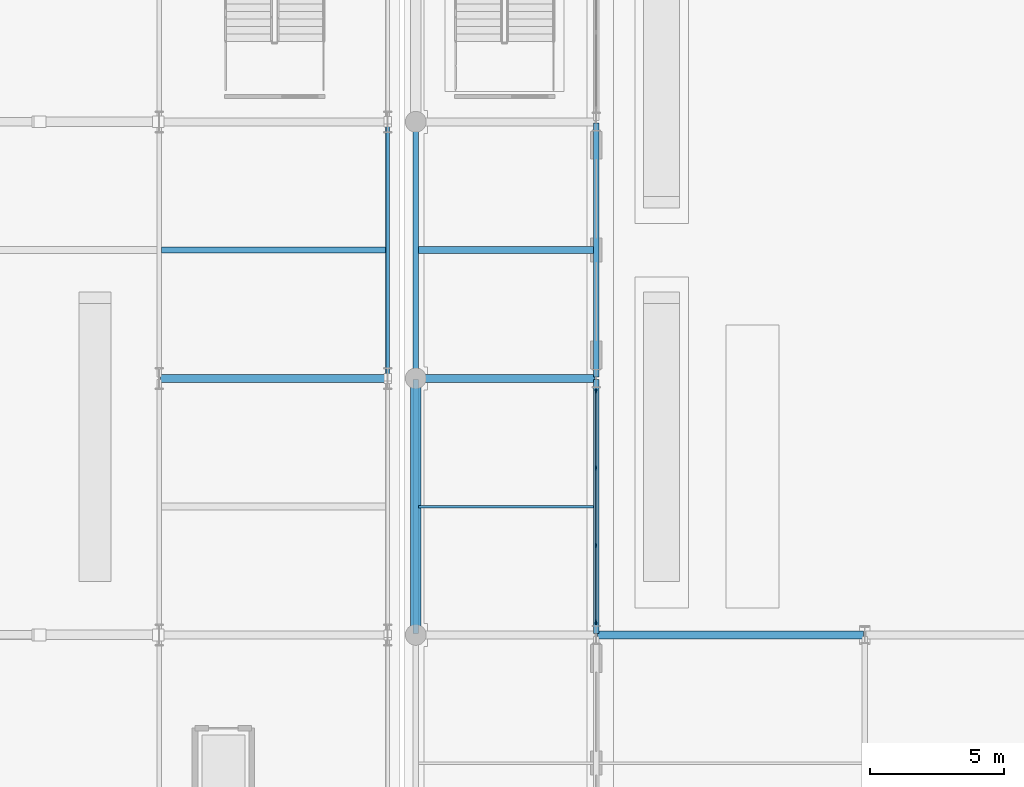
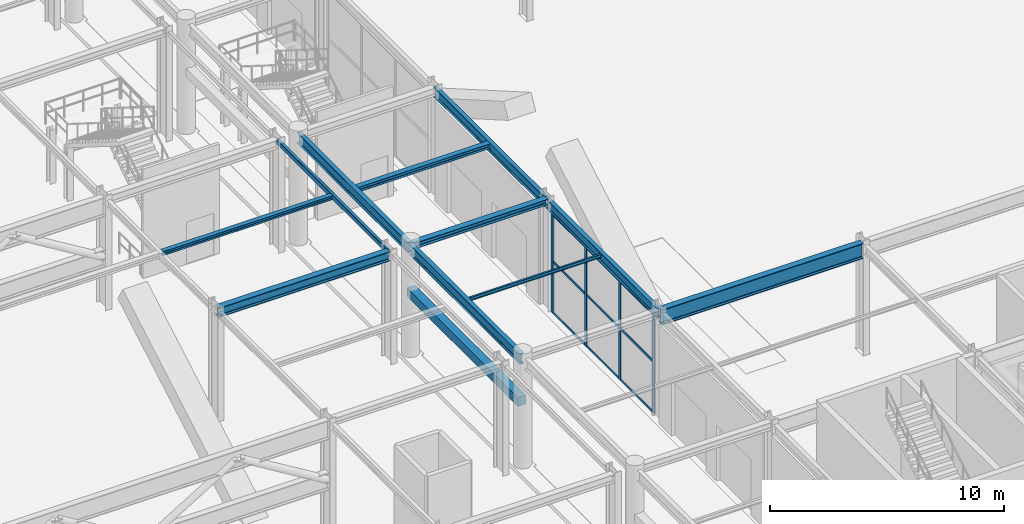
# One storey, part 33 of 113: 13 members, 12 beams, 1 element without a shape of its own.
"""IFC4 building model written with IfcOpenShell, lengths in metres."""

from ifc_helpers import new_model, si_unit, direction, frame, origin, origin_2d, place, context, subcontext, project, spatial, rectangle, hollow_rectangle, i_section, extrude, material, layer, layer_set, material_profile, profile_set, type_object, element, aggregate, save


model = new_model("IFC4")

# Units and contexts
model_context = context("Model", 3, precision=1e-05, world=origin(), true_north=direction((0.0, 1.0)))
body_context = subcontext(model_context, "Body", "Model", "MODEL_VIEW")
ifc_project = project(units=[si_unit("LENGTHUNIT", "METRE"), si_unit("AREAUNIT", "SQUARE_METRE"), si_unit("VOLUMEUNIT", "CUBIC_METRE"), si_unit("PLANEANGLEUNIT", "RADIAN"), si_unit("MASSUNIT", "GRAM", prefix="KILO")], contexts=[model_context])

# Site, building, storey
site_placement = place(None, origin())
site = spatial("IfcSite", under=ifc_project, at=site_placement, CompositionType="ELEMENT")
building_placement = place(site_placement, origin())
building = spatial("IfcBuilding", under=site, at=building_placement, Name="Myrtia Square Station", CompositionType="ELEMENT")
storey_placement = place(building_placement, origin())
storey = spatial("IfcBuildingStorey", under=building, at=storey_placement, Name="L00", CompositionType="ELEMENT", Elevation=0.0)

# Beams
ifc_material_1 = material(Name="Steel S355", Category="steel")
ifc_material_profile_1 = material_profile(ifc_material_1, i_section(OverallWidth=0.300048828125, OverallDepth=0.300048828125, WebThickness=0.010986328125, FlangeThickness=0.01904296875, FilletRadius=0.027099609375, at=origin_2d()), Name="HEB 300")
ifc_profile_set_1 = profile_set([ifc_material_profile_1], Name="Steel S355")
beam_type_1 = type_object("IfcBeamType", Name="BM-HEB300", PredefinedType="BEAM", material=ifc_profile_set_1)
beam_1_placement = place(storey_placement, frame((72.64990234375, 57.60009765625, 5.590087890625), z_axis=(1.0, 0.0, 0.0), x_axis=(0.0, 1.0, 0.0)))
element("IfcBeam", 1, at=beam_1_placement, inside=storey, type_object=beam_type_1, Name="Structural girder BMX-L00-0281", PredefinedType="BEAM", context=body_context, shape_type="SweptSolid", body=[
    extrude(i_section(OverallWidth=0.300048828125, OverallDepth=0.300048828125, WebThickness=0.010986328125, FlangeThickness=0.01904296875, FilletRadius=0.027099609375, at=origin_2d()), origin(), (0.0, 0.0, 1.0), 6.650146484375),
])
ifc_material_profile_2 = material_profile(ifc_material_1, i_section(OverallWidth=0.300048828125, OverallDepth=0.5, WebThickness=0.014404296875, FlangeThickness=0.028076171875, FilletRadius=0.027099609375, at=origin_2d()), Name="HEB 500")
ifc_profile_set_2 = profile_set([ifc_material_profile_2], Name="Steel S355")
beam_type_2 = type_object("IfcBeamType", Name="BM-HEB500", PredefinedType="BEAM", material=ifc_profile_set_2)
beam_2_placement = place(storey_placement, frame((63.050048828125, 57.60009765625, 5.489990234375), z_axis=(1.0, 0.0, 0.0), x_axis=(0.0, 1.0, 0.0)))
element("IfcBeam", 2, at=beam_2_placement, inside=storey, type_object=beam_type_2, Name="Structural girder BMX-L00-0253", PredefinedType="BEAM", context=body_context, shape_type="SweptSolid", body=[
    extrude(i_section(OverallWidth=0.300048828125, OverallDepth=0.5, WebThickness=0.014404296875, FlangeThickness=0.028076171875, FilletRadius=0.027099609375, at=origin_2d()), origin(), (0.0, 0.0, 1.0), 8.449951171875),
])
ifc_material_profile_3 = material_profile(ifc_material_1, i_section(OverallWidth=0.199951171875, OverallDepth=0.5, WebThickness=0.01025390625, FlangeThickness=0.01611328125, FilletRadius=0.02099609375, at=origin_2d()), Name="IPE 500")
ifc_profile_set_3 = profile_set([ifc_material_profile_3], Name="Steel S355")
beam_type_3 = type_object("IfcBeamType", Name="BM-IPE500", PredefinedType="BEAM", material=ifc_profile_set_3)
for number, where, z_axis, x_axis, name in (
    (3, (79.35009765625, 48.050048828125, 5.489990234375), (0.0, 1.0, 0.0), (-1.0, 0.0, 0.0), "Structural girder BMY-L00-0298"),
    (4, (79.35009765625, 57.64990234375, 5.489990234375), (0.0, 1.0, 0.0), (-1.0, 0.0, 0.0), "Structural girder BMY-L00-0299"),
):
    element("IfcBeam", number, at=place(storey_placement, frame(where, z_axis=z_axis, x_axis=x_axis)), inside=storey, type_object=beam_type_3, Name=name, PredefinedType="BEAM", context=body_context, shape_type="SweptSolid", body=[
        extrude(i_section(OverallWidth=0.199951171875, OverallDepth=0.5, WebThickness=0.01025390625, FlangeThickness=0.01611328125, FilletRadius=0.02099609375, at=origin_2d()), origin(), (0.0, 0.0, 1.0), 9.5),
    ])
ifc_material_profile_4 = material_profile(ifc_material_1, i_section(OverallWidth=0.2099609375, OverallDepth=0.550048828125, WebThickness=0.010986328125, FlangeThickness=0.01708984375, FilletRadius=0.02392578125, at=origin_2d()), Name="IPE 550")
ifc_profile_set_4 = profile_set([ifc_material_profile_4], Name="Steel S355")
beam_type_4 = type_object("IfcBeamType", Name="BM-IPE550", PredefinedType="BEAM", material=ifc_profile_set_4)
for number, where, z_axis, x_axis, name in (
    (5, (72.60009765625, 48.050048828125, 5.465087890625), (0.0, 1.0, 0.0), (-1.0, 0.0, 0.0), "Structural girder BMY-L00-0291"),
    (6, (72.60009765625, 57.64990234375, 5.465087890625), (0.0, 1.0, 0.0), (-1.0, 0.0, 0.0), "Structural girder BMY-L00-0292"),
):
    element("IfcBeam", number, at=place(storey_placement, frame(where, z_axis=z_axis, x_axis=x_axis)), inside=storey, type_object=beam_type_4, Name=name, PredefinedType="BEAM", context=body_context, shape_type="SweptSolid", body=[
        extrude(i_section(OverallWidth=0.2099609375, OverallDepth=0.550048828125, WebThickness=0.010986328125, FlangeThickness=0.01708984375, FilletRadius=0.02392578125, at=origin_2d()), origin(), (0.0, 0.0, 1.0), 9.5),
    ])

# Curtain wall, members
ifc_material_2 = material(Name="Dark bronze anodised aluminium", Category="aluminium")
ifc_layer = layer(ifc_material_2, 0.159912109375, Name="Dark bronze anodised aluminium")
ifc_layer_set = layer_set([ifc_layer], Name="Dark bronze anodised aluminium")
curtain_wall_type = type_object("IfcCurtainWallType", Name="CW-TYPE-01-870x519", PredefinedType="USERDEFINED", material=ifc_layer_set)
curtain_wall_placement = place(storey_placement, origin())
curtain_wall = element("IfcCurtainWall", 7, at=curtain_wall_placement, inside=storey, type_object=curtain_wall_type, Name="Concourse curtain wall CW-L00-001", ObjectType="CONCOURSE CURTAIN WALL", PredefinedType="USERDEFINED")
ifc_material_profile_5 = material_profile(ifc_material_2, rectangle(XDim=0.06005859375, YDim=0.159912109375, at=origin_2d()), Name="ALU-M 60x160")
ifc_profile_set_5 = profile_set([ifc_material_profile_5], Name="Dark bronze anodised aluminium")
member_type_1 = type_object("IfcMemberType", Name="CWM-60x160", PredefinedType="MULLION", material=ifc_profile_set_5)
member_1_placement = place(storey_placement, frame((79.35009765625, 48.47998046875, 0.0), z_axis=(0.0, 0.0, 1.0), x_axis=(-1.0, 0.0, 0.0)))
member_1 = element("IfcMember", 8, at=member_1_placement, type_object=member_type_1, Name="CW-001 mullion 1", PredefinedType="MULLION", context=body_context, shape_type="SweptSolid", body=[
    extrude(rectangle(XDim=0.06005859375, YDim=0.159912109375, at=origin_2d()), origin(), (0.0, 0.0, 1.0), 5.18994140625),
])
member_2_placement = place(storey_placement, frame((79.35009765625, 51.35009765625, 0.0), z_axis=(0.0, 0.0, 1.0), x_axis=(-1.0, 0.0, 0.0)))
member_2 = element("IfcMember", 9, at=member_2_placement, type_object=member_type_1, Name="CW-001 mullion 2", PredefinedType="MULLION", context=body_context, shape_type="SweptSolid", body=[
    extrude(rectangle(XDim=0.06005859375, YDim=0.159912109375, at=origin_2d()), origin(), (0.0, 0.0, 1.0), 5.18994140625),
])
member_3_placement = place(storey_placement, frame((79.35009765625, 54.25, 0.0), z_axis=(0.0, 0.0, 1.0), x_axis=(-1.0, 0.0, 0.0)))
member_3 = element("IfcMember", 10, at=member_3_placement, type_object=member_type_1, Name="CW-001 mullion 3", PredefinedType="MULLION", context=body_context, shape_type="SweptSolid", body=[
    extrude(rectangle(XDim=0.06005859375, YDim=0.159912109375, at=origin_2d()), origin(), (0.0, 0.0, 1.0), 5.18994140625),
])
member_4_placement = place(storey_placement, frame((79.35009765625, 57.1201171875, 0.0), z_axis=(0.0, 0.0, 1.0), x_axis=(-1.0, 0.0, 0.0)))
member_4 = element("IfcMember", 11, at=member_4_placement, type_object=member_type_1, Name="CW-001 mullion 4", PredefinedType="MULLION", context=body_context, shape_type="SweptSolid", body=[
    extrude(rectangle(XDim=0.06005859375, YDim=0.159912109375, at=origin_2d()), origin(), (0.0, 0.0, 1.0), 5.18994140625),
])
ifc_material_profile_6 = material_profile(ifc_material_2, rectangle(XDim=0.06005859375, YDim=0.1201171875, at=origin_2d()), Name="ALU-T 60x120")
ifc_profile_set_6 = profile_set([ifc_material_profile_6], Name="Dark bronze anodised aluminium")
member_type_2 = type_object("IfcMemberType", Name="CWT-60x120", PredefinedType="USERDEFINED", material=ifc_profile_set_6)
member_5_placement = place(storey_placement, frame((79.35009765625, 48.510009765625, 0.030029296875), z_axis=(0.0, 1.0, 0.0), x_axis=(-1.0, 0.0, 0.0)))
member_5 = element("IfcMember", 12, at=member_5_placement, type_object=member_type_2, Name="CW-001 transom 1.1", ObjectType="TRANSOM", PredefinedType="USERDEFINED", context=body_context, shape_type="SweptSolid", body=[
    extrude(rectangle(XDim=0.06005859375, YDim=0.1201171875, at=origin_2d()), origin(), (0.0, 0.0, 1.0), 2.81005859375),
])
member_6_placement = place(storey_placement, frame((79.35009765625, 48.510009765625, 2.698974609375), z_axis=(0.0, 1.0, 0.0), x_axis=(-1.0, 0.0, 0.0)))
member_6 = element("IfcMember", 13, at=member_6_placement, type_object=member_type_2, Name="CW-001 transom 1.2", ObjectType="TRANSOM", PredefinedType="USERDEFINED", context=body_context, shape_type="SweptSolid", body=[
    extrude(rectangle(XDim=0.06005859375, YDim=0.1201171875, at=origin_2d()), origin(), (0.0, 0.0, 1.0), 2.81005859375),
])
member_7_placement = place(storey_placement, frame((79.35009765625, 48.510009765625, 5.159912109375), z_axis=(0.0, 1.0, 0.0), x_axis=(-1.0, 0.0, 0.0)))
member_7 = element("IfcMember", 14, at=member_7_placement, type_object=member_type_2, Name="CW-001 transom 1.3", ObjectType="TRANSOM", PredefinedType="USERDEFINED", context=body_context, shape_type="SweptSolid", body=[
    extrude(rectangle(XDim=0.06005859375, YDim=0.1201171875, at=origin_2d()), origin(), (0.0, 0.0, 1.0), 2.81005859375),
])
member_8_placement = place(storey_placement, frame((79.35009765625, 51.3798828125, 0.030029296875), z_axis=(0.0, 1.0, 0.0), x_axis=(-1.0, 0.0, 0.0)))
member_8 = element("IfcMember", 15, at=member_8_placement, type_object=member_type_2, Name="CW-001 transom 2.1", ObjectType="TRANSOM", PredefinedType="USERDEFINED", context=body_context, shape_type="SweptSolid", body=[
    extrude(rectangle(XDim=0.06005859375, YDim=0.1201171875, at=origin_2d()), origin(), (0.0, 0.0, 1.0), 2.840087890625),
])
member_9_placement = place(storey_placement, frame((79.35009765625, 51.3798828125, 2.698974609375), z_axis=(0.0, 1.0, 0.0), x_axis=(-1.0, 0.0, 0.0)))
member_9 = element("IfcMember", 16, at=member_9_placement, type_object=member_type_2, Name="CW-001 transom 2.2", ObjectType="TRANSOM", PredefinedType="USERDEFINED", context=body_context, shape_type="SweptSolid", body=[
    extrude(rectangle(XDim=0.06005859375, YDim=0.1201171875, at=origin_2d()), origin(), (0.0, 0.0, 1.0), 2.840087890625),
])
member_10_placement = place(storey_placement, frame((79.35009765625, 51.3798828125, 5.159912109375), z_axis=(0.0, 1.0, 0.0), x_axis=(-1.0, 0.0, 0.0)))
member_10 = element("IfcMember", 17, at=member_10_placement, type_object=member_type_2, Name="CW-001 transom 2.3", ObjectType="TRANSOM", PredefinedType="USERDEFINED", context=body_context, shape_type="SweptSolid", body=[
    extrude(rectangle(XDim=0.06005859375, YDim=0.1201171875, at=origin_2d()), origin(), (0.0, 0.0, 1.0), 2.840087890625),
])
member_11_placement = place(storey_placement, frame((79.35009765625, 54.280029296875, 0.030029296875), z_axis=(0.0, 1.0, 0.0), x_axis=(-1.0, 0.0, 0.0)))
member_11 = element("IfcMember", 18, at=member_11_placement, type_object=member_type_2, Name="CW-001 transom 3.1", ObjectType="TRANSOM", PredefinedType="USERDEFINED", context=body_context, shape_type="SweptSolid", body=[
    extrude(rectangle(XDim=0.06005859375, YDim=0.1201171875, at=origin_2d()), origin(), (0.0, 0.0, 1.0), 2.81005859375),
])
member_12_placement = place(storey_placement, frame((79.35009765625, 54.280029296875, 2.698974609375), z_axis=(0.0, 1.0, 0.0), x_axis=(-1.0, 0.0, 0.0)))
member_12 = element("IfcMember", 19, at=member_12_placement, type_object=member_type_2, Name="CW-001 transom 3.2", ObjectType="TRANSOM", PredefinedType="USERDEFINED", context=body_context, shape_type="SweptSolid", body=[
    extrude(rectangle(XDim=0.06005859375, YDim=0.1201171875, at=origin_2d()), origin(), (0.0, 0.0, 1.0), 2.81005859375),
])
member_13_placement = place(storey_placement, frame((79.35009765625, 54.280029296875, 5.159912109375), z_axis=(0.0, 1.0, 0.0), x_axis=(-1.0, 0.0, 0.0)))
member_13 = element("IfcMember", 20, at=member_13_placement, type_object=member_type_2, Name="CW-001 transom 3.3", ObjectType="TRANSOM", PredefinedType="USERDEFINED", context=body_context, shape_type="SweptSolid", body=[
    extrude(rectangle(XDim=0.06005859375, YDim=0.1201171875, at=origin_2d()), origin(), (0.0, 0.0, 1.0), 2.81005859375),
])
aggregate(curtain_wall, [member_1, member_2, member_3, member_4, member_5, member_6, member_7, member_8, member_9, member_10, member_11, member_12, member_13])

# Beams
ifc_material_profile_7 = material_profile(ifc_material_1, i_section(OverallWidth=0.219970703125, OverallDepth=0.2099609375, WebThickness=0.007080078125, FlangeThickness=0.010986328125, FilletRadius=0.01806640625, at=origin_2d()), Name="HEA 220")
ifc_profile_set_7 = profile_set([ifc_material_profile_7], Name="Steel S355")
beam_type_5 = type_object("IfcBeamType", Name="JST-HEA220", PredefinedType="JOIST", material=ifc_profile_set_7)
beam_3_placement = place(storey_placement, frame((63.0849609375, 62.39990234375, 5.635009765625), z_axis=(1.0, 0.0, 0.0), x_axis=(0.0, 1.0, 0.0)))
element("IfcBeam", 21, at=beam_3_placement, inside=storey, type_object=beam_type_5, Name="Composite floor joist L00-0008", PredefinedType="JOIST", context=body_context, shape_type="SweptSolid", body=[
    extrude(i_section(OverallWidth=0.219970703125, OverallDepth=0.2099609375, WebThickness=0.007080078125, FlangeThickness=0.010986328125, FilletRadius=0.01806640625, at=origin_2d()), origin(), (0.0, 0.0, 1.0), 8.39013671875),
])
ifc_material_profile_8 = material_profile(ifc_material_1, i_section(OverallWidth=0.260009765625, OverallDepth=0.25, WebThickness=0.007568359375, FlangeThickness=0.012451171875, FilletRadius=0.02392578125, at=origin_2d()), Name="HEA 260")
ifc_profile_set_8 = profile_set([ifc_material_profile_8], Name="Steel S355")
beam_type_6 = type_object("IfcBeamType", Name="JST-HEA260", PredefinedType="JOIST", material=ifc_profile_set_8)
beam_4_placement = place(storey_placement, frame((72.705078125, 62.39990234375, 5.614990234375), z_axis=(1.0, 0.0, 0.0), x_axis=(0.0, 1.0, 0.0)))
element("IfcBeam", 22, at=beam_4_placement, inside=storey, type_object=beam_type_6, Name="Composite floor joist L00-0013", PredefinedType="JOIST", context=body_context, shape_type="SweptSolid", body=[
    extrude(i_section(OverallWidth=0.260009765625, OverallDepth=0.25, WebThickness=0.007568359375, FlangeThickness=0.012451171875, FilletRadius=0.02392578125, at=origin_2d()), origin(), (0.0, 0.0, 1.0), 6.544921875),
])
ifc_material_profile_9 = material_profile(ifc_material_1, i_section(OverallWidth=0.091064453125, OverallDepth=0.179931640625, WebThickness=0.00537109375, FlangeThickness=0.008056640625, FilletRadius=0.009033203125, at=origin_2d()), Name="IPE 180")
ifc_profile_set_9 = profile_set([ifc_material_profile_9], Name="Steel S355")
beam_type_7 = type_object("IfcBeamType", Name="JST-IPE180", PredefinedType="JOIST", material=ifc_profile_set_9)
beam_5_placement = place(storey_placement, frame((72.705078125, 52.800048828125, 5.64990234375), z_axis=(1.0, 0.0, 0.0), x_axis=(0.0, 1.0, 0.0)))
element("IfcBeam", 23, at=beam_5_placement, inside=storey, type_object=beam_type_7, Name="Composite floor joist L00-0012", PredefinedType="JOIST", context=body_context, shape_type="SweptSolid", body=[
    extrude(i_section(OverallWidth=0.091064453125, OverallDepth=0.179931640625, WebThickness=0.00537109375, FlangeThickness=0.008056640625, FilletRadius=0.009033203125, at=origin_2d()), origin(), (0.0, 0.0, 1.0), 6.544921875),
])
ifc_material_3 = material(Name="Concrete C35/45", Category="concrete")
ifc_material_profile_10 = material_profile(ifc_material_3, rectangle(XDim=0.39990234375, YDim=0.449951171875, at=origin_2d()), Name="LNT 400x450")
ifc_profile_set_10 = profile_set([ifc_material_profile_10], Name="Concrete C35/45")
beam_type_8 = type_object("IfcBeamType", Name="LNT-RC400x450", PredefinedType="LINTEL", material=ifc_profile_set_10)
beam_6_placement = place(storey_placement, frame((72.60009765625, 48.050048828125, 3.25), z_axis=(0.0, 1.0, 0.0), x_axis=(-1.0, 0.0, 0.0)))
element("IfcBeam", 24, at=beam_6_placement, inside=storey, type_object=beam_type_8, Name="Reinforced concrete opening lintel L00-02", PredefinedType="LINTEL", context=body_context, shape_type="SweptSolid", body=[
    extrude(rectangle(XDim=0.39990234375, YDim=0.449951171875, at=origin_2d()), origin(), (0.0, 0.0, 1.0), 9.5),
])
ifc_material_profile_11 = material_profile(ifc_material_1, hollow_rectangle(XDim=0.14990234375, YDim=0.25, WallThickness=0.012451171875, InnerFilletRadius=0.012451171875, OuterFilletRadius=0.02490234375, at=origin_2d()), Name="RHS 250x150x12.5")
ifc_profile_set_11 = profile_set([ifc_material_profile_11], Name="Steel S355")
beam_type_9 = type_object("IfcBeamType", Name="SPN-RHS250", PredefinedType="SPANDREL", material=ifc_profile_set_11)
beam_7_placement = place(storey_placement, frame((71.550048828125, 57.64990234375, 5.614990234375), z_axis=(0.0, 1.0, 0.0), x_axis=(-1.0, 0.0, 0.0)))
element("IfcBeam", 25, at=beam_7_placement, inside=storey, type_object=beam_type_9, Name="Structural girder SPNY-L00-0073", PredefinedType="SPANDREL", context=body_context, shape_type="SweptSolid", body=[
    extrude(hollow_rectangle(XDim=0.14990234375, YDim=0.25, WallThickness=0.012451171875, InnerFilletRadius=0.012451171875, OuterFilletRadius=0.02490234375, at=origin_2d()), origin(), (0.0, 0.0, 1.0), 9.5),
])
ifc_material_profile_12 = material_profile(ifc_material_1, i_section(OverallWidth=0.300048828125, OverallDepth=0.800048828125, WebThickness=0.017578125, FlangeThickness=0.032958984375, FilletRadius=0.030029296875, at=origin_2d()), Name="HEB 800")
ifc_profile_set_12 = profile_set([ifc_material_profile_12], Name="Steel S355")
beam_type_10 = type_object("IfcBeamType", Name="TG-HEB800", PredefinedType="USERDEFINED", material=ifc_profile_set_12)
beam_8_placement = place(storey_placement, frame((79.39990234375, 48.0, 5.340087890625), z_axis=(1.0, 0.0, 0.0), x_axis=(0.0, 1.0, 0.0)))
element("IfcBeam", 26, at=beam_8_placement, inside=storey, type_object=beam_type_10, Name="Structural girder TG-L00-0086", ObjectType="TRANSFER GIRDER", PredefinedType="USERDEFINED", context=body_context, shape_type="SweptSolid", body=[
    extrude(i_section(OverallWidth=0.300048828125, OverallDepth=0.800048828125, WebThickness=0.017578125, FlangeThickness=0.032958984375, FilletRadius=0.030029296875, at=origin_2d()), origin(), (0.0, 0.0, 1.0), 9.9501953125),
])

save(model, "model.ifc")
